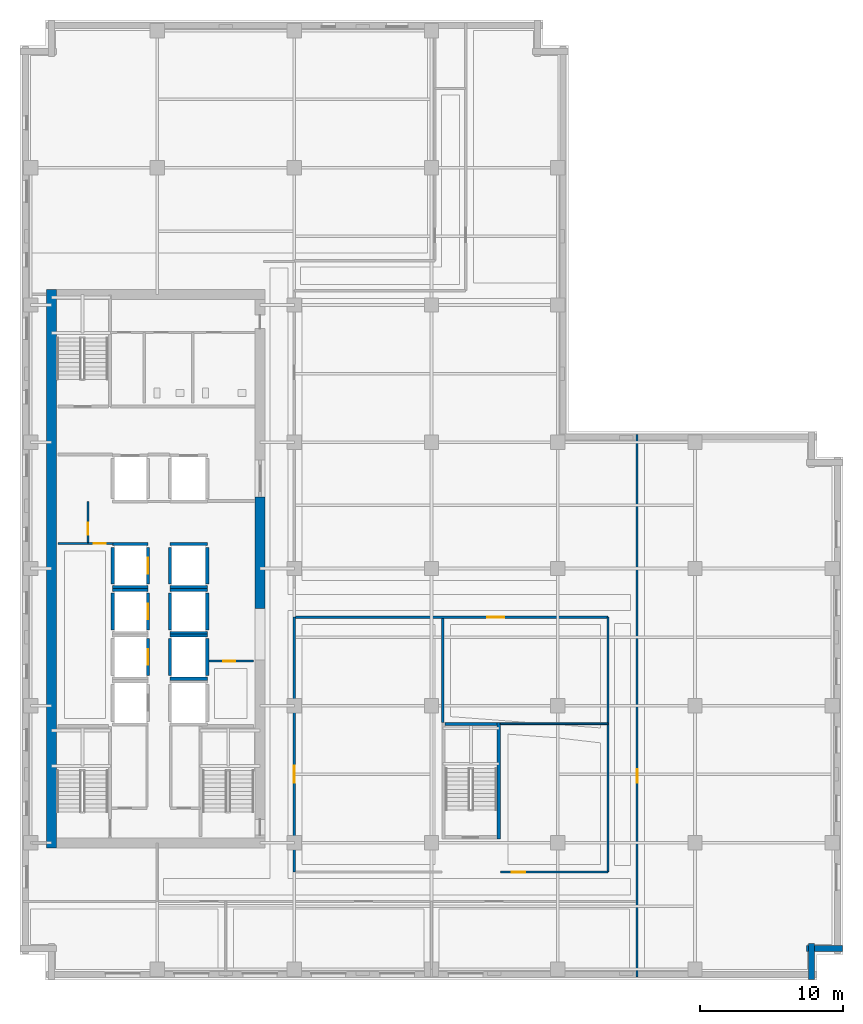
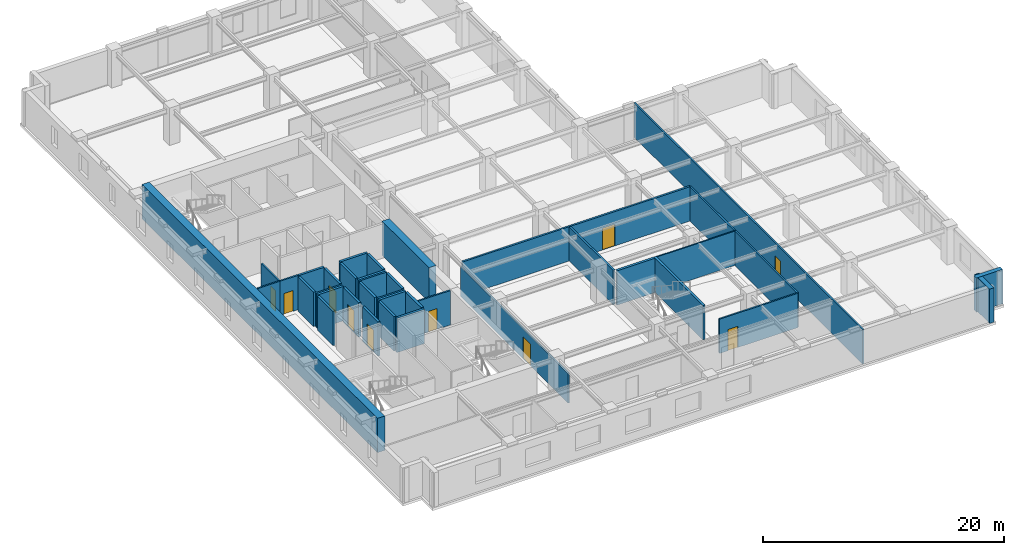
# One storey, part 4 of 12: 37 walls, 10 doors, 10 openings.
"""IFC4 building model written with IfcOpenShell, lengths in metres."""

from ifc_helpers import new_model, si_unit, direction, frame, frame_2d, origin, place, context, subcontext, project, spatial, rectangle, extrude, material, layer, layer_set, type_object, element, fill, save


model = new_model("IFC4")

# Units and contexts
model_context = context("Model", 3, precision=1e-05, world=origin(), true_north=direction((0.0, 1.0)))
body_context = subcontext(model_context, "Body", "Model", "MODEL_VIEW")
ifc_project = project(units=[si_unit("LENGTHUNIT", "METRE"), si_unit("AREAUNIT", "SQUARE_METRE"), si_unit("VOLUMEUNIT", "CUBIC_METRE"), si_unit("PLANEANGLEUNIT", "RADIAN"), si_unit("MASSUNIT", "GRAM", prefix="KILO")], contexts=[model_context])

# Site, building, storey
site_placement = place(None, origin())
site = spatial("IfcSite", under=ifc_project, at=site_placement, CompositionType="ELEMENT")
building_placement = place(site_placement, origin())
building = spatial("IfcBuilding", under=site, at=building_placement, Name="Norrvale University Quadrangle", CompositionType="ELEMENT")
storey_placement = place(building_placement, frame((0.0, 0.0, 147.0)))
storey = spatial("IfcBuildingStorey", under=building, at=storey_placement, Name="L37", CompositionType="ELEMENT", Elevation=147.0)

# Walls
ifc_material_1 = material(Name="Buff Norman Clay Brick Masonry", Category="masonry")
ifc_layer_1 = layer(ifc_material_1, 0.419921875, Name="Buff Norman Clay Brick Masonry")
ifc_layer_set_1 = layer_set([ifc_layer_1], Name="Buff Norman Clay Brick Masonry")
wall_type_1 = type_object("IfcWallType", Name="Wall Buff Brick 420", PredefinedType="SOLIDWALL", material=ifc_layer_set_1)
for number, where, z_axis, x_axis, name in (
    (1, (55.409912109375, 0.0400390625, 0.0), (0.0, 0.0, 1.0), (0.0, 1.0, 0.0), "Exterior Brick Facade Wall L37-02.1"),
    (2, (55.06005859375, 2.18994140625, 0.0), (0.0, 0.0, 1.0), (1.0, 0.0, 0.0), "Exterior Brick Facade Wall L37-03.1"),
):
    element("IfcWall", number, at=place(storey_placement, frame(where, z_axis=z_axis, x_axis=x_axis)), inside=storey, type_object=wall_type_1, Name=name, PredefinedType="SOLIDWALL", context=body_context, shape_type="SweptSolid", body=[
        extrude(rectangle(XDim=2.5, YDim=0.419921875, at=frame_2d((1.25, 0.0))), origin(), (0.0, 0.0, 1.0), 3.47998046875),
    ])
ifc_material_2 = material(Name="Concrete C60/75", Category="concrete")
ifc_layer_2 = layer(ifc_material_2, 0.699951171875, Name="Concrete C60/75")
ifc_layer_set_2 = layer_set([ifc_layer_2], Name="Concrete C60/75")
wall_type_2 = type_object("IfcWallType", Name="Wall Core 700", PredefinedType="SHEAR", material=ifc_layer_set_2)
wall_1_placement = place(storey_placement, frame((2.199951171875, 9.25, 0.0), z_axis=(0.0, 0.0, 1.0), x_axis=(0.0, 1.0, 0.0)))
element("IfcWall", 3, at=wall_1_placement, inside=storey, type_object=wall_type_2, Name="Tower Core Shear Wall L37-W", PredefinedType="SHEAR", context=body_context, shape_type="SweptSolid", body=[
    extrude(rectangle(XDim=39.10009765625, YDim=0.699951171875, at=frame_2d((19.550048828125, 0.0))), origin(), (0.0, 0.0, 1.0), 3.47998046875),
])
wall_2_placement = place(storey_placement, frame((16.800048828125, 26.0, 0.0), z_axis=(0.0, 0.0, 1.0), x_axis=(0.0, 1.0, 0.0)))
element("IfcWall", 4, at=wall_2_placement, inside=storey, type_object=wall_type_2, Name="Tower Core Shear Wall L37-E2", PredefinedType="SHEAR", context=body_context, shape_type="SweptSolid", body=[
    extrude(rectangle(XDim=7.800048828125, YDim=0.699951171875, at=frame_2d((3.89990234375, 0.0))), origin(), (0.0, 0.0, 1.0), 3.47998046875),
])
ifc_material_3 = material(Name="Standard Academic Gypsum Partition")
ifc_layer_3 = layer(ifc_material_3, 0.125, Name="Standard Academic Gypsum Partition")
ifc_layer_set_3 = layer_set([ifc_layer_3], Name="Standard Academic Gypsum Partition")
wall_type_3 = type_object("IfcWallType", Name="Wall Gypsum Academic 125", PredefinedType="PARTITIONING", material=ifc_layer_set_3)
wall_3_placement = place(storey_placement, frame((33.6201171875, 17.93994140625, 0.0), z_axis=(0.0, 0.0, 1.0), x_axis=(1.0, 0.0, 0.0)))
element("IfcWall", 5, at=wall_3_placement, inside=storey, type_object=wall_type_3, Name="Interior Partition WL-L37-ISLH", PredefinedType="PARTITIONING", context=body_context, shape_type="SweptSolid", body=[
    extrude(rectangle(XDim=7.52978515625, YDim=0.125, at=frame_2d((3.764892578125, 0.0))), origin(), (0.0, 0.0, 1.0), 3.47998046875),
])

# Wall, opening, door
ifc_material_4 = material(Name="Fire-Rated Gypsum Stud Partition")
ifc_layer_4 = layer(ifc_material_4, 0.14990234375, Name="Fire-Rated Gypsum Stud Partition")
ifc_layer_set_4 = layer_set([ifc_layer_4], Name="Fire-Rated Gypsum Stud Partition")
wall_type_4 = type_object("IfcWallType", Name="Wall Gypsum Corridor 150", PredefinedType="PARTITIONING", material=ifc_layer_set_4)
wall_4_placement = place(storey_placement, frame((13.22509765625, 22.320068359375, 0.0), z_axis=(0.0, 0.0, 1.0), x_axis=(1.0, 0.0, 0.0)))
wall_4 = element("IfcWall", 6, at=wall_4_placement, inside=storey, type_object=wall_type_4, Name="Interior Partition WL-L37-JAN-N", PredefinedType="PARTITIONING", context=body_context, shape_type="SweptSolid", body=[
    extrude(rectangle(XDim=3.119873046875, YDim=0.14990234375, at=frame_2d((1.56005859375, 0.0))), origin(), (0.0, 0.0, 1.0), 3.47998046875),
])
opening_1_placement = place(wall_4_placement, frame((1.0, 0.0, 0.0)))
opening_1 = element("IfcOpeningElement", 7, at=opening_1_placement, cuts=wall_4, Name="Opening D10", PredefinedType="OPENING", context=body_context, shape_type="SweptSolid", body=[
    extrude(rectangle(XDim=0.85009765625, YDim=2.10009765625, at=frame_2d((0.425048828125, 1.050048828125))), frame((0.0, 0.0869140625, 0.0), z_axis=(0.0, -1.0, 0.0), x_axis=(1.0, 0.0, 0.0)), (0.0, 0.0, 1.0), 0.173828125),
])
ifc_material_5 = material(Name="Hollow Steel 350W Riser Fire Door", Category="steel")
door_type_1 = type_object("IfcDoorType", Name="Door Riser 850x2100", OperationType="NOTDEFINED", PredefinedType="DOOR", material=ifc_material_5)
door_1_placement = place(opening_1_placement, origin())
door_1 = element("IfcDoor", 8, at=door_1_placement, inside=storey, type_object=door_type_1, Name="Door Riser 850x2100 DR-L37-JAN", OperationType="SINGLE_SWING_LEFT", OverallHeight=2.10009765625, OverallWidth=0.85009765625, PredefinedType="DOOR", context=body_context, shape_type="SweptSolid", body=[
    extrude(rectangle(XDim=0.85009765625, YDim=2.10009765625, at=frame_2d((0.425048828125, 1.050048828125))), frame((0.0, 0.02490234375, 0.0), z_axis=(0.0, -1.0, 0.0), x_axis=(1.0, 0.0, 0.0)), (0.0, 0.0, 1.0), 0.050048828125),
])
fill(opening_1, door_1)

wall_5_placement = place(storey_placement, frame((4.760009765625, 30.550048828125, 0.0), z_axis=(0.0, 0.0, 1.0), x_axis=(0.0, 1.0, 0.0)))
wall_5 = element("IfcWall", 9, at=wall_5_placement, inside=storey, type_object=wall_type_4, Name="Interior Partition WL-L37-WME-E", PredefinedType="PARTITIONING", context=body_context, shape_type="SweptSolid", body=[
    extrude(rectangle(XDim=2.929931640625, YDim=0.14990234375, at=frame_2d((1.46484375, 0.0))), origin(), (0.0, 0.0, 1.0), 3.47998046875),
])
opening_2_placement = place(wall_5_placement, frame((0.60009765625, 0.0, 0.0)))
opening_2 = element("IfcOpeningElement", 10, at=opening_2_placement, cuts=wall_5, Name="Opening D10", PredefinedType="OPENING", context=body_context, shape_type="SweptSolid", body=[
    extrude(rectangle(XDim=0.85009765625, YDim=2.10009765625, at=frame_2d((0.425048828125, 1.050048828125))), frame((0.0, 0.0869140625, 0.0), z_axis=(0.0, -1.0, 0.0), x_axis=(1.0, 0.0, 0.0)), (0.0, 0.0, 1.0), 0.173828125),
])
door_2_placement = place(opening_2_placement, origin())
door_2 = element("IfcDoor", 11, at=door_2_placement, inside=storey, type_object=door_type_1, Name="Door Riser 850x2100 DR-L37-WME", OperationType="SINGLE_SWING_LEFT", OverallHeight=2.10009765625, OverallWidth=0.85009765625, PredefinedType="DOOR", context=body_context, shape_type="SweptSolid", body=[
    extrude(rectangle(XDim=0.85009765625, YDim=2.10009765625, at=frame_2d((0.425048828125, 1.050048828125))), frame((0.0, 0.02490234375, 0.0), z_axis=(0.0, -1.0, 0.0), x_axis=(1.0, 0.0, 0.0)), (0.0, 0.0, 1.0), 0.050048828125),
])
fill(opening_2, door_2)

wall_6_placement = place(storey_placement, frame((4.760009765625, 30.550048828125, 0.0), z_axis=(0.0, 0.0, 1.0), x_axis=(1.0, 0.0, 0.0)))
wall_6 = element("IfcWall", 12, at=wall_6_placement, inside=storey, type_object=wall_type_4, Name="Interior Partition WL-L37-WST-N", PredefinedType="PARTITIONING", context=body_context, shape_type="SweptSolid", body=[
    extrude(rectangle(XDim=1.760009765625, YDim=0.14990234375, at=frame_2d((0.8798828125, 0.0))), origin(), (0.0, 0.0, 1.0), 3.47998046875),
])
opening_3_placement = place(wall_6_placement, frame((0.39990234375, 0.0, 0.0)))
opening_3 = element("IfcOpeningElement", 13, at=opening_3_placement, cuts=wall_6, Name="Opening D10", PredefinedType="OPENING", context=body_context, shape_type="SweptSolid", body=[
    extrude(rectangle(XDim=0.85009765625, YDim=2.10009765625, at=frame_2d((0.425048828125, 1.050048828125))), frame((0.0, 0.0869140625, 0.0), z_axis=(0.0, -1.0, 0.0), x_axis=(1.0, 0.0, 0.0)), (0.0, 0.0, 1.0), 0.173828125),
])
door_3_placement = place(opening_3_placement, origin())
door_3 = element("IfcDoor", 14, at=door_3_placement, inside=storey, type_object=door_type_1, Name="Door Riser 850x2100 DR-L37-WST", OperationType="SINGLE_SWING_RIGHT", OverallHeight=2.10009765625, OverallWidth=0.85009765625, PredefinedType="DOOR", context=body_context, shape_type="SweptSolid", body=[
    extrude(rectangle(XDim=0.85009765625, YDim=2.10009765625, at=frame_2d((0.425048828125, 1.050048828125))), frame((0.0, 0.02490234375, 0.0), z_axis=(0.0, -1.0, 0.0), x_axis=(1.0, 0.0, 0.0)), (0.0, 0.0, 1.0), 0.050048828125),
])
fill(opening_3, door_3)

# Wall
wall_7_placement = place(storey_placement, frame((2.64990234375, 30.550048828125, 0.0), z_axis=(0.0, 0.0, 1.0), x_axis=(1.0, 0.0, 0.0)))
element("IfcWall", 15, at=wall_7_placement, inside=storey, type_object=wall_type_4, Name="Interior Partition WL-L37-WST-N2", PredefinedType="PARTITIONING", context=body_context, shape_type="SweptSolid", body=[
    extrude(rectangle(XDim=2.110107421875, YDim=0.14990234375, at=frame_2d((1.05517578125, 0.0))), origin(), (0.0, 0.0, 1.0), 3.47998046875),
])

# Wall, opening, door
wall_8_placement = place(storey_placement, frame((43.199951171875, 0.219970703125, 0.0), z_axis=(0.0, 0.0, 1.0), x_axis=(0.0, 1.0, 0.0)))
wall_8 = element("IfcWall", 16, at=wall_8_placement, inside=storey, type_object=wall_type_4, Name="Interior Partition WL-L37-ECW", PredefinedType="PARTITIONING", context=body_context, shape_type="SweptSolid", body=[
    extrude(rectangle(XDim=37.9599609375, YDim=0.14990234375, at=frame_2d((18.97998046875, 0.0))), origin(), (0.0, 0.0, 1.0), 3.47998046875),
])
opening_4_placement = place(wall_8_placement, frame((13.580078125, 0.0, 0.0)))
opening_4 = element("IfcOpeningElement", 17, at=opening_4_placement, cuts=wall_8, Name="Opening D07", PredefinedType="OPENING", context=body_context, shape_type="SweptSolid", body=[
    extrude(rectangle(XDim=0.949951171875, YDim=2.14990234375, at=frame_2d((0.47509765625, 1.074951171875))), frame((0.0, 0.0869140625, 0.0), z_axis=(0.0, -1.0, 0.0), x_axis=(1.0, 0.0, 0.0)), (0.0, 0.0, 1.0), 0.173828125),
])
ifc_material_6 = material(Name="Solid-Core Maple Door", Category="wood")
door_type_2 = type_object("IfcDoorType", Name="Door Office 950x2150", OperationType="NOTDEFINED", PredefinedType="DOOR", material=ifc_material_6)
door_4_placement = place(opening_4_placement, origin())
door_4 = element("IfcDoor", 18, at=door_4_placement, inside=storey, type_object=door_type_2, Name="Door Office 950x2150 DR-L37-E01", OperationType="SINGLE_SWING_RIGHT", OverallHeight=2.14990234375, OverallWidth=0.949951171875, PredefinedType="DOOR", context=body_context, shape_type="SweptSolid", body=[
    extrude(rectangle(XDim=0.949951171875, YDim=2.14990234375, at=frame_2d((0.47509765625, 1.074951171875))), frame((0.0, 0.02490234375, 0.0), z_axis=(0.0, -1.0, 0.0), x_axis=(1.0, 0.0, 0.0)), (0.0, 0.0, 1.0), 0.050048828125),
])
fill(opening_4, door_4)

wall_9_placement = place(storey_placement, frame((19.199951171875, 7.550048828125, 0.0), z_axis=(0.0, 0.0, 1.0), x_axis=(0.0, 1.0, 0.0)))
wall_9 = element("IfcWall", 19, at=wall_9_placement, inside=storey, type_object=wall_type_4, Name="Interior Partition WL-L37-ISLW", PredefinedType="PARTITIONING", context=body_context, shape_type="SweptSolid", body=[
    extrude(rectangle(XDim=17.849853515625, YDim=0.14990234375, at=frame_2d((8.9248046875, 0.0))), origin(), (0.0, 0.0, 1.0), 3.010986328125),
])
opening_5_placement = place(wall_9_placement, frame((6.25, 0.0, 0.0)))
opening_5 = element("IfcOpeningElement", 20, at=opening_5_placement, cuts=wall_9, Name="Opening D05", PredefinedType="OPENING", context=body_context, shape_type="SweptSolid", body=[
    extrude(rectangle(XDim=1.199951171875, YDim=2.199951171875, at=frame_2d((0.60009765625, 1.10009765625))), frame((0.0, 0.0869140625, 0.0), z_axis=(0.0, -1.0, 0.0), x_axis=(1.0, 0.0, 0.0)), (0.0, 0.0, 1.0), 0.173828125),
])
ifc_material_7 = material(Name="Acoustic Oak Classroom Door", Category="wood")
door_type_3 = type_object("IfcDoorType", Name="Door Classroom 1200x2200", OperationType="NOTDEFINED", PredefinedType="DOOR", material=ifc_material_7)
door_5_placement = place(opening_5_placement, origin())
door_5 = element("IfcDoor", 21, at=door_5_placement, inside=storey, type_object=door_type_3, Name="Door Classroom 1200x2200 DR-L37-IW1", OperationType="SINGLE_SWING_LEFT", OverallHeight=2.199951171875, OverallWidth=1.199951171875, PredefinedType="DOOR", context=body_context, shape_type="SweptSolid", body=[
    extrude(rectangle(XDim=1.199951171875, YDim=2.199951171875, at=frame_2d((0.60009765625, 1.10009765625))), frame((0.0, 0.02490234375, 0.0), z_axis=(0.0, -1.0, 0.0), x_axis=(1.0, 0.0, 0.0)), (0.0, 0.0, 1.0), 0.050048828125),
])
fill(opening_5, door_5)

wall_10_placement = place(storey_placement, frame((33.6201171875, 7.550048828125, 0.0), z_axis=(0.0, 0.0, 1.0), x_axis=(1.0, 0.0, 0.0)))
wall_10 = element("IfcWall", 22, at=wall_10_placement, inside=storey, type_object=wall_type_4, Name="Interior Partition WL-L37-ISLS2", PredefinedType="PARTITIONING", context=body_context, shape_type="SweptSolid", body=[
    extrude(rectangle(XDim=7.52978515625, YDim=0.14990234375, at=frame_2d((3.764892578125, 0.0))), origin(), (0.0, 0.0, 1.0), 3.47998046875),
])
opening_6_placement = place(wall_10_placement, frame((0.800048828125, 0.0, 0.0)))
opening_6 = element("IfcOpeningElement", 23, at=opening_6_placement, cuts=wall_10, Name="Opening D07", PredefinedType="OPENING", context=body_context, shape_type="SweptSolid", body=[
    extrude(rectangle(XDim=0.949951171875, YDim=2.14990234375, at=frame_2d((0.47509765625, 1.074951171875))), frame((0.0, 0.0869140625, 0.0), z_axis=(0.0, -1.0, 0.0), x_axis=(1.0, 0.0, 0.0)), (0.0, 0.0, 1.0), 0.173828125),
])
door_6_placement = place(opening_6_placement, origin())
door_6 = element("IfcDoor", 24, at=door_6_placement, inside=storey, type_object=door_type_2, Name="Door Office 950x2150 DR-L37-ISE", OperationType="SINGLE_SWING_LEFT", OverallHeight=2.14990234375, OverallWidth=0.949951171875, PredefinedType="DOOR", context=body_context, shape_type="SweptSolid", body=[
    extrude(rectangle(XDim=0.949951171875, YDim=2.14990234375, at=frame_2d((0.47509765625, 1.074951171875))), frame((0.0, 0.02490234375, 0.0), z_axis=(0.0, -1.0, 0.0), x_axis=(1.0, 0.0, 0.0)), (0.0, 0.0, 1.0), 0.050048828125),
])
fill(opening_6, door_6)

# Walls
wall_11_placement = place(storey_placement, frame((41.14990234375, 7.550048828125, 0.0), z_axis=(0.0, 0.0, 1.0), x_axis=(0.0, 1.0, 0.0)))
element("IfcWall", 25, at=wall_11_placement, inside=storey, type_object=wall_type_4, Name="Interior Partition WL-L37-ISLE", PredefinedType="PARTITIONING", context=body_context, shape_type="SweptSolid", body=[
    extrude(rectangle(XDim=17.849853515625, YDim=0.14990234375, at=frame_2d((8.9248046875, 0.0))), origin(), (0.0, 0.0, 1.0), 3.47998046875),
])
ifc_material_8 = material(Name="Acoustic Double-Stud Gypsum Partition")
ifc_layer_5 = layer(ifc_material_8, 0.179931640625, Name="Acoustic Double-Stud Gypsum Partition")
ifc_layer_set_5 = layer_set([ifc_layer_5], Name="Acoustic Double-Stud Gypsum Partition")
wall_type_5 = type_object("IfcWallType", Name="Wall Gypsum Lecture 180", PredefinedType="PARTITIONING", material=ifc_layer_set_5)
wall_12_placement = place(storey_placement, frame((29.580078125, 18.02490234375, 0.0), z_axis=(0.0, 0.0, 1.0), x_axis=(0.0, 1.0, 0.0)))
element("IfcWall", 26, at=wall_12_placement, inside=storey, type_object=wall_type_5, Name="Interior Partition WL-L37-ISLD", PredefinedType="PARTITIONING", context=body_context, shape_type="SweptSolid", body=[
    extrude(rectangle(XDim=7.280029296875, YDim=0.179931640625, at=frame_2d((3.64013671875, 0.0))), origin(), (0.0, 0.0, 1.0), 3.47998046875),
])

# Wall, opening, door
wall_13_placement = place(storey_placement, frame((19.280029296875, 25.39990234375, 0.0), z_axis=(0.0, 0.0, 1.0), x_axis=(1.0, 0.0, 0.0)))
wall_13 = element("IfcWall", 27, at=wall_13_placement, inside=storey, type_object=wall_type_5, Name="Interior Partition WL-L37-ISLN", PredefinedType="PARTITIONING", context=body_context, shape_type="SweptSolid", body=[
    extrude(rectangle(XDim=21.869873046875, YDim=0.179931640625, at=frame_2d((10.93505859375, 0.0))), origin(), (0.0, 0.0, 1.0), 3.47998046875),
])
opening_7_placement = place(wall_13_placement, frame((13.419921875, 0.0, 0.0)))
opening_7 = element("IfcOpeningElement", 28, at=opening_7_placement, cuts=wall_13, Name="Opening D05", PredefinedType="OPENING", context=body_context, shape_type="SweptSolid", body=[
    extrude(rectangle(XDim=1.199951171875, YDim=2.199951171875, at=frame_2d((0.60009765625, 1.10009765625))), frame((0.0, 0.10205078125, 0.0), z_axis=(0.0, -1.0, 0.0), x_axis=(1.0, 0.0, 0.0)), (0.0, 0.0, 1.0), 0.203857421875),
])
door_7_placement = place(opening_7_placement, origin())
door_7 = element("IfcDoor", 29, at=door_7_placement, inside=storey, type_object=door_type_3, Name="Door Classroom 1200x2200 DR-L37-ILH", OperationType="SINGLE_SWING_RIGHT", OverallHeight=2.199951171875, OverallWidth=1.199951171875, PredefinedType="DOOR", context=body_context, shape_type="SweptSolid", body=[
    extrude(rectangle(XDim=1.199951171875, YDim=2.199951171875, at=frame_2d((0.60009765625, 1.10009765625))), frame((0.0, 0.02490234375, 0.0), z_axis=(0.0, -1.0, 0.0), x_axis=(1.0, 0.0, 0.0)), (0.0, 0.0, 1.0), 0.050048828125),
])
fill(opening_7, door_7)

# Walls
ifc_material_9 = material(Name="Concrete Blockwork 20 MPa Fire Shaft", Category="masonry")
ifc_layer_6 = layer(ifc_material_9, 0.219970703125, Name="Concrete Blockwork 20 MPa Fire Shaft")
ifc_layer_set_6 = layer_set([ifc_layer_6], Name="Concrete Blockwork 20 MPa Fire Shaft")
wall_type_6 = type_object("IfcWallType", Name="Wall Shaft 220", PredefinedType="SOLIDWALL", material=ifc_layer_set_6)
wall_14_placement = place(storey_placement, frame((33.510009765625, 9.8798828125, 0.0), z_axis=(0.0, 0.0, 1.0), x_axis=(0.0, 1.0, 0.0)))
element("IfcWall", 30, at=wall_14_placement, inside=storey, type_object=wall_type_6, Name="Stair ST-04 East Shaft Wall L37", PredefinedType="SOLIDWALL", context=body_context, shape_type="SweptSolid", body=[
    extrude(rectangle(XDim=8.14013671875, YDim=0.219970703125, at=frame_2d((4.070068359375, 0.0))), origin(), (0.0, 0.0, 1.0), 3.47998046875),
])
wall_15_placement = place(storey_placement, frame((29.75, 17.909912109375, 0.0), z_axis=(0.0, 0.0, 1.0), x_axis=(1.0, 0.0, 0.0)))
element("IfcWall", 31, at=wall_15_placement, inside=storey, type_object=wall_type_6, Name="Stair ST-04 North Shaft Wall L37", PredefinedType="SOLIDWALL", context=body_context, shape_type="SweptSolid", body=[
    extrude(rectangle(XDim=3.64990234375, YDim=0.219970703125, at=frame_2d((1.824951171875, 0.0))), origin(), (0.0, 0.0, 1.0), 3.47998046875),
])

# Wall, opening, door
wall_16_placement = place(storey_placement, frame((8.9599609375, 21.31005859375, 0.0), z_axis=(0.0, 0.0, 1.0), x_axis=(0.0, 1.0, 0.0)))
wall_16 = element("IfcWall", 32, at=wall_16_placement, inside=storey, type_object=wall_type_6, Name="Hoistway PL-02 East Wall L37", PredefinedType="SOLIDWALL", context=body_context, shape_type="SweptSolid", body=[
    extrude(rectangle(XDim=2.579833984375, YDim=0.219970703125, at=frame_2d((1.2900390625, 0.0))), origin(), (0.0, 0.0, 1.0), 3.47998046875),
])
opening_8_placement = place(wall_16_placement, frame((0.739990234375, 0.0, 0.0)))
opening_8 = element("IfcOpeningElement", 33, at=opening_8_placement, cuts=wall_16, Name="Opening LD1", PredefinedType="OPENING", context=body_context, shape_type="SweptSolid", body=[
    extrude(rectangle(XDim=1.10009765625, YDim=2.199951171875, at=frame_2d((0.550048828125, 1.10009765625))), frame((0.0, 0.1220703125, 0.0), z_axis=(0.0, -1.0, 0.0), x_axis=(1.0, 0.0, 0.0)), (0.0, 0.0, 1.0), 0.243896484375),
])
ifc_material_10 = material(Name="Stainless Steel 316L Lift Landing Door", Category="steel")
door_type_4 = type_object("IfcDoorType", Name="Door Lift Landing 1100x2200", OperationType="DOUBLE_DOOR_SLIDING", PredefinedType="DOOR", material=ifc_material_10)
door_8_placement = place(opening_8_placement, origin())
door_8 = element("IfcDoor", 34, at=door_8_placement, inside=storey, type_object=door_type_4, Name="Elevator Landing Door DR-L37-PL-02", OperationType="DOUBLE_DOOR_SLIDING", OverallHeight=2.199951171875, OverallWidth=1.10009765625, PredefinedType="DOOR", context=body_context, shape_type="SweptSolid", body=[
    extrude(rectangle(XDim=1.10009765625, YDim=2.199951171875, at=frame_2d((0.550048828125, 1.10009765625))), frame((0.0, 0.02490234375, 0.0), z_axis=(0.0, -1.0, 0.0), x_axis=(1.0, 0.0, 0.0)), (0.0, 0.0, 1.0), 0.050048828125),
])
fill(opening_8, door_8)

# Wall
wall_17_placement = place(storey_placement, frame((6.489990234375, 24.510009765625, 0.0), z_axis=(0.0, 0.0, 1.0), x_axis=(0.0, 1.0, 0.0)))
element("IfcWall", 35, at=wall_17_placement, inside=storey, type_object=wall_type_6, Name="Hoistway PL-03 West Wall L37", PredefinedType="SOLIDWALL", context=body_context, shape_type="SweptSolid", body=[
    extrude(rectangle(XDim=2.580078125, YDim=0.219970703125, at=frame_2d((1.2900390625, 0.0))), origin(), (0.0, 0.0, 1.0), 3.47998046875),
])

# Wall, opening, door
wall_18_placement = place(storey_placement, frame((8.9599609375, 24.510009765625, 0.0), z_axis=(0.0, 0.0, 1.0), x_axis=(0.0, 1.0, 0.0)))
wall_18 = element("IfcWall", 36, at=wall_18_placement, inside=storey, type_object=wall_type_6, Name="Hoistway PL-03 East Wall L37", PredefinedType="SOLIDWALL", context=body_context, shape_type="SweptSolid", body=[
    extrude(rectangle(XDim=2.580078125, YDim=0.219970703125, at=frame_2d((1.2900390625, 0.0))), origin(), (0.0, 0.0, 1.0), 3.47998046875),
])
opening_9_placement = place(wall_18_placement, frame((0.739990234375, 0.0, 0.0)))
opening_9 = element("IfcOpeningElement", 37, at=opening_9_placement, cuts=wall_18, Name="Opening LD1", PredefinedType="OPENING", context=body_context, shape_type="SweptSolid", body=[
    extrude(rectangle(XDim=1.10009765625, YDim=2.199951171875, at=frame_2d((0.550048828125, 1.10009765625))), frame((0.0, 0.1220703125, 0.0), z_axis=(0.0, -1.0, 0.0), x_axis=(1.0, 0.0, 0.0)), (0.0, 0.0, 1.0), 0.243896484375),
])
door_9_placement = place(opening_9_placement, origin())
door_9 = element("IfcDoor", 38, at=door_9_placement, inside=storey, type_object=door_type_4, Name="Elevator Landing Door DR-L37-PL-03", OperationType="DOUBLE_DOOR_SLIDING", OverallHeight=2.199951171875, OverallWidth=1.10009765625, PredefinedType="DOOR", context=body_context, shape_type="SweptSolid", body=[
    extrude(rectangle(XDim=1.10009765625, YDim=2.199951171875, at=frame_2d((0.550048828125, 1.10009765625))), frame((0.0, 0.02490234375, 0.0), z_axis=(0.0, -1.0, 0.0), x_axis=(1.0, 0.0, 0.0)), (0.0, 0.0, 1.0), 0.050048828125),
])
fill(opening_9, door_9)

# Walls
wall_19_placement = place(storey_placement, frame((6.489990234375, 27.31005859375, 0.0), z_axis=(0.0, 0.0, 1.0), x_axis=(1.0, 0.0, 0.0)))
element("IfcWall", 39, at=wall_19_placement, inside=storey, type_object=wall_type_6, Name="Hoistway PL-03 North Wall L37", PredefinedType="SOLIDWALL", context=body_context, shape_type="SweptSolid", body=[
    extrude(rectangle(XDim=2.469970703125, YDim=0.219970703125, at=frame_2d((1.23486328125, 0.0))), origin(), (0.0, 0.0, 1.0), 3.47998046875),
])
wall_20_placement = place(storey_placement, frame((6.489990234375, 27.7099609375, 0.0), z_axis=(0.0, 0.0, 1.0), x_axis=(0.0, 1.0, 0.0)))
element("IfcWall", 40, at=wall_20_placement, inside=storey, type_object=wall_type_6, Name="Hoistway PL-04 West Wall L37", PredefinedType="SOLIDWALL", context=body_context, shape_type="SweptSolid", body=[
    extrude(rectangle(XDim=2.580078125, YDim=0.219970703125, at=frame_2d((1.2900390625, 0.0))), origin(), (0.0, 0.0, 1.0), 3.47998046875),
])

# Wall, opening, door
wall_21_placement = place(storey_placement, frame((8.9599609375, 27.7099609375, 0.0), z_axis=(0.0, 0.0, 1.0), x_axis=(0.0, 1.0, 0.0)))
wall_21 = element("IfcWall", 41, at=wall_21_placement, inside=storey, type_object=wall_type_6, Name="Hoistway PL-04 East Wall L37", PredefinedType="SOLIDWALL", context=body_context, shape_type="SweptSolid", body=[
    extrude(rectangle(XDim=2.580078125, YDim=0.219970703125, at=frame_2d((1.2900390625, 0.0))), origin(), (0.0, 0.0, 1.0), 3.47998046875),
])
opening_10_placement = place(wall_21_placement, frame((0.739990234375, 0.0, 0.0)))
opening_10 = element("IfcOpeningElement", 42, at=opening_10_placement, cuts=wall_21, Name="Opening LD1", PredefinedType="OPENING", context=body_context, shape_type="SweptSolid", body=[
    extrude(rectangle(XDim=1.10009765625, YDim=2.199951171875, at=frame_2d((0.550048828125, 1.10009765625))), frame((0.0, 0.1220703125, 0.0), z_axis=(0.0, -1.0, 0.0), x_axis=(1.0, 0.0, 0.0)), (0.0, 0.0, 1.0), 0.243896484375),
])
door_10_placement = place(opening_10_placement, origin())
door_10 = element("IfcDoor", 43, at=door_10_placement, inside=storey, type_object=door_type_4, Name="Elevator Landing Door DR-L37-PL-04", OperationType="DOUBLE_DOOR_SLIDING", OverallHeight=2.199951171875, OverallWidth=1.10009765625, PredefinedType="DOOR", context=body_context, shape_type="SweptSolid", body=[
    extrude(rectangle(XDim=1.10009765625, YDim=2.199951171875, at=frame_2d((0.550048828125, 1.10009765625))), frame((0.0, 0.02490234375, 0.0), z_axis=(0.0, -1.0, 0.0), x_axis=(1.0, 0.0, 0.0)), (0.0, 0.0, 1.0), 0.050048828125),
])
fill(opening_10, door_10)

# Walls
for number, where, z_axis, x_axis, name in (
    (44, (6.489990234375, 27.489990234375, 0.0), (0.0, 0.0, 1.0), (1.0, 0.0, 0.0), "Hoistway PL-04 South Wall L37"),
    (45, (6.489990234375, 30.510009765625, 0.0), (0.0, 0.0, 1.0), (1.0, 0.0, 0.0), "Hoistway PL-04 North Wall L37"),
):
    element("IfcWall", number, at=place(storey_placement, frame(where, z_axis=z_axis, x_axis=x_axis)), inside=storey, type_object=wall_type_6, Name=name, PredefinedType="SOLIDWALL", context=body_context, shape_type="SweptSolid", body=[
        extrude(rectangle(XDim=2.469970703125, YDim=0.219970703125, at=frame_2d((1.23486328125, 0.0))), origin(), (0.0, 0.0, 1.0), 3.47998046875),
    ])
for number, where, z_axis, x_axis, name in (
    (46, (10.489990234375, 21.31005859375, 0.0), (0.0, 0.0, 1.0), (0.0, 1.0, 0.0), "Hoistway PL-06 West Wall L37"),
    (47, (13.110107421875, 21.31005859375, 0.0), (0.0, 0.0, 1.0), (0.0, 1.0, 0.0), "Hoistway PL-06 East Wall L37"),
):
    element("IfcWall", number, at=place(storey_placement, frame(where, z_axis=z_axis, x_axis=x_axis)), inside=storey, type_object=wall_type_6, Name=name, PredefinedType="SOLIDWALL", context=body_context, shape_type="SweptSolid", body=[
        extrude(rectangle(XDim=2.579833984375, YDim=0.219970703125, at=frame_2d((1.2900390625, 0.0))), origin(), (0.0, 0.0, 1.0), 3.47998046875),
    ])
for number, where, z_axis, x_axis, name in (
    (48, (10.489990234375, 21.090087890625, 0.0), (0.0, 0.0, 1.0), (1.0, 0.0, 0.0), "Hoistway PL-06 South Wall L37"),
    (49, (10.489990234375, 24.110107421875, 0.0), (0.0, 0.0, 1.0), (1.0, 0.0, 0.0), "Hoistway PL-06 North Wall L37"),
):
    element("IfcWall", number, at=place(storey_placement, frame(where, z_axis=z_axis, x_axis=x_axis)), inside=storey, type_object=wall_type_6, Name=name, PredefinedType="SOLIDWALL", context=body_context, shape_type="SweptSolid", body=[
        extrude(rectangle(XDim=2.6201171875, YDim=0.219970703125, at=frame_2d((1.31005859375, 0.0))), origin(), (0.0, 0.0, 1.0), 3.47998046875),
    ])
for number, where, z_axis, x_axis, name in (
    (50, (10.489990234375, 24.510009765625, 0.0), (0.0, 0.0, 1.0), (0.0, 1.0, 0.0), "Hoistway PL-07 West Wall L37"),
    (51, (13.110107421875, 24.510009765625, 0.0), (0.0, 0.0, 1.0), (0.0, 1.0, 0.0), "Hoistway PL-07 East Wall L37"),
):
    element("IfcWall", number, at=place(storey_placement, frame(where, z_axis=z_axis, x_axis=x_axis)), inside=storey, type_object=wall_type_6, Name=name, PredefinedType="SOLIDWALL", context=body_context, shape_type="SweptSolid", body=[
        extrude(rectangle(XDim=2.580078125, YDim=0.219970703125, at=frame_2d((1.2900390625, 0.0))), origin(), (0.0, 0.0, 1.0), 3.47998046875),
    ])
for number, where, z_axis, x_axis, name in (
    (52, (10.489990234375, 24.2900390625, 0.0), (0.0, 0.0, 1.0), (1.0, 0.0, 0.0), "Hoistway PL-07 South Wall L37"),
    (53, (10.489990234375, 27.31005859375, 0.0), (0.0, 0.0, 1.0), (1.0, 0.0, 0.0), "Hoistway PL-07 North Wall L37"),
):
    element("IfcWall", number, at=place(storey_placement, frame(where, z_axis=z_axis, x_axis=x_axis)), inside=storey, type_object=wall_type_6, Name=name, PredefinedType="SOLIDWALL", context=body_context, shape_type="SweptSolid", body=[
        extrude(rectangle(XDim=2.6201171875, YDim=0.219970703125, at=frame_2d((1.31005859375, 0.0))), origin(), (0.0, 0.0, 1.0), 3.47998046875),
    ])
for number, where, z_axis, x_axis, name in (
    (54, (10.489990234375, 27.7099609375, 0.0), (0.0, 0.0, 1.0), (0.0, 1.0, 0.0), "Hoistway PL-08 West Wall L37"),
    (55, (13.110107421875, 27.7099609375, 0.0), (0.0, 0.0, 1.0), (0.0, 1.0, 0.0), "Hoistway PL-08 East Wall L37"),
):
    element("IfcWall", number, at=place(storey_placement, frame(where, z_axis=z_axis, x_axis=x_axis)), inside=storey, type_object=wall_type_6, Name=name, PredefinedType="SOLIDWALL", context=body_context, shape_type="SweptSolid", body=[
        extrude(rectangle(XDim=2.580078125, YDim=0.219970703125, at=frame_2d((1.2900390625, 0.0))), origin(), (0.0, 0.0, 1.0), 3.47998046875),
    ])
for number, where, z_axis, x_axis, name in (
    (56, (10.489990234375, 27.489990234375, 0.0), (0.0, 0.0, 1.0), (1.0, 0.0, 0.0), "Hoistway PL-08 South Wall L37"),
    (57, (10.489990234375, 30.510009765625, 0.0), (0.0, 0.0, 1.0), (1.0, 0.0, 0.0), "Hoistway PL-08 North Wall L37"),
):
    element("IfcWall", number, at=place(storey_placement, frame(where, z_axis=z_axis, x_axis=x_axis)), inside=storey, type_object=wall_type_6, Name=name, PredefinedType="SOLIDWALL", context=body_context, shape_type="SweptSolid", body=[
        extrude(rectangle(XDim=2.6201171875, YDim=0.219970703125, at=frame_2d((1.31005859375, 0.0))), origin(), (0.0, 0.0, 1.0), 3.47998046875),
    ])

save(model, "model.ifc")
